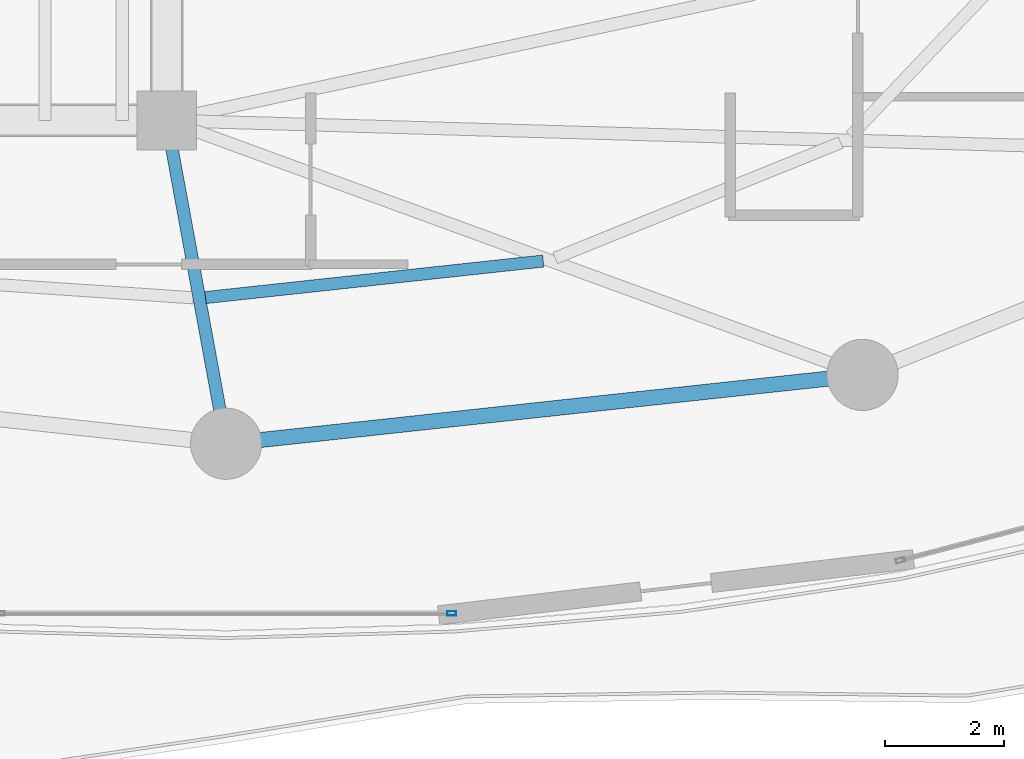
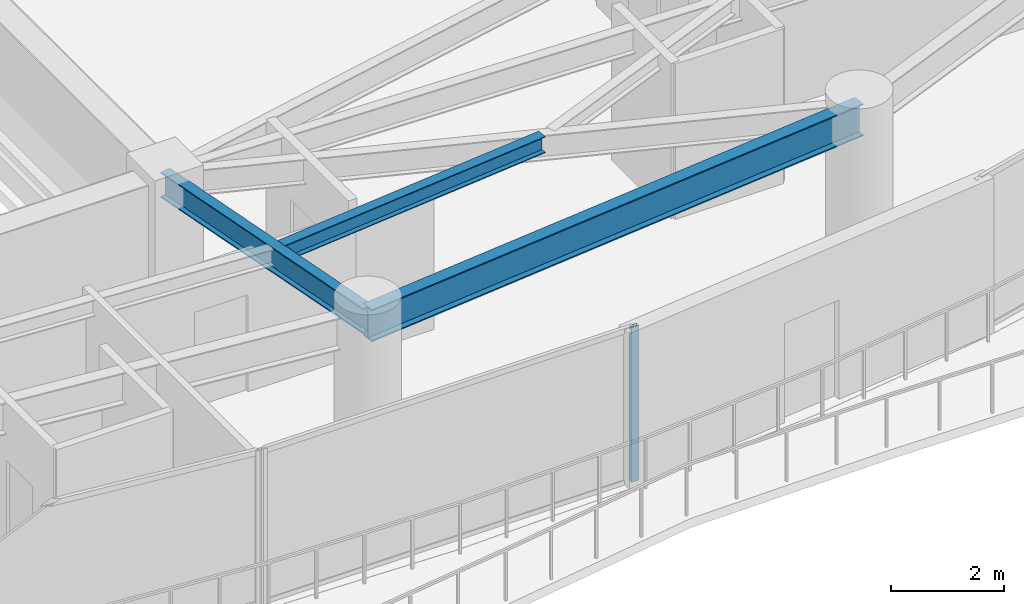
# One storey, part 10 of 33: 3 beams, 1 member, 1 element without a shape of its own.
"""IFC4 building model written with IfcOpenShell, lengths in metres."""

from ifc_helpers import new_model, si_unit, direction, frame, origin, origin_2d, place, context, subcontext, project, spatial, hollow_rectangle, i_section, extrude, material, layer, layer_set, material_profile, profile_set, type_object, element, aggregate, save


model = new_model("IFC4")

# Units and contexts
model_context = context("Model", 3, precision=1e-05, world=origin(), true_north=direction((0.0, 1.0)))
body_context = subcontext(model_context, "Body", "Model", "MODEL_VIEW")
ifc_project = project(units=[si_unit("LENGTHUNIT", "METRE"), si_unit("AREAUNIT", "SQUARE_METRE"), si_unit("VOLUMEUNIT", "CUBIC_METRE"), si_unit("PLANEANGLEUNIT", "RADIAN"), si_unit("MASSUNIT", "GRAM", prefix="KILO")], contexts=[model_context])

# Site, building, storey
site_placement = place(None, origin())
site = spatial("IfcSite", under=ifc_project, at=site_placement, CompositionType="ELEMENT")
building_placement = place(site_placement, origin())
building = spatial("IfcBuilding", under=site, at=building_placement, Name="Kazevale Care Tower and Concert Hall", CompositionType="ELEMENT")
storey_placement = place(building_placement, frame((0.0, 0.0, 153.0)))
storey = spatial("IfcBuildingStorey", under=building, at=storey_placement, Name="L40", CompositionType="ELEMENT", Elevation=153.0)

# Curtain wall, member
ifc_material_1 = material(Name="Aluminium 6063-T6 and Low-E Glass", Category="aluminium")
ifc_layer = layer(ifc_material_1, 0.179931640625)
ifc_layer_set = layer_set([ifc_layer], Name="Aluminium 6063-T6 and Low-E Glass")
curtain_wall_type = type_object("IfcCurtainWallType", Name="Sheltered Concave Balcony Curtain Wall CW-5", PredefinedType="NOTDEFINED", material=ifc_layer_set)
curtain_wall_placement = place(storey_placement, origin())
curtain_wall = element("IfcCurtainWall", 1, at=curtain_wall_placement, inside=storey, type_object=curtain_wall_type, Name="cw:L40:f06", PredefinedType="NOTDEFINED")
ifc_material_2 = material(Name="Aluminium 6063-T6", Category="aluminium")
ifc_material_profile_1 = material_profile(ifc_material_2, hollow_rectangle(XDim=0.074951171875, YDim=0.14990234375, WallThickness=0.00390625, at=origin_2d()), Name="ALU75x150x4")
ifc_profile_set_1 = profile_set([ifc_material_profile_1], Name="Aluminium 6063-T6")
member_type = type_object("IfcMemberType", Name="CW-5 Mullion ALU75x150x4", PredefinedType="MULLION", material=ifc_profile_set_1)
member_placement = place(storey_placement, frame((48.803466796875, 15.2890625, 0.0), z_axis=(0.0, 0.0, 1.0), x_axis=(0.0, -1.0, 0.0)))
member = element("IfcMember", 2, at=member_placement, type_object=member_type, Name="CW-5 mullion 1", PredefinedType="MULLION", context=body_context, shape_type="SweptSolid", body=[
    extrude(hollow_rectangle(XDim=0.074951171875, YDim=0.14990234375, WallThickness=0.00390625, at=origin_2d()), origin(), (0.0, 0.0, 1.0), 3.360107421875),
])
aggregate(curtain_wall, [member])

# Beams
ifc_material_3 = material(Name="Steel ASTM A572 Gr 50", Category="steel")
ifc_material_profile_2 = material_profile(ifc_material_3, i_section(OverallWidth=0.2119140625, OverallDepth=0.5439453125, WebThickness=0.01318359375, FlangeThickness=0.021240234375, at=origin_2d()), Name="W530x123")
ifc_profile_set_2 = profile_set([ifc_material_profile_2], Name="Steel ASTM A572 Gr 50")
beam_type_1 = type_object("IfcBeamType", Name="Radial Floor Girder W530x123", PredefinedType="BEAM", material=ifc_profile_set_2)
beam_1_placement = place(storey_placement, frame((44.0, 23.60009765625, 3.087890625), z_axis=(0.180467114023, -0.983581018908, 0.0), x_axis=(0.983581018908, 0.180467114023, 0.0)))
element("IfcBeam", 3, at=beam_1_placement, inside=storey, type_object=beam_type_1, Name="beam:L40:rad:13", PredefinedType="BEAM", context=body_context, shape_type="SweptSolid", body=[
    extrude(i_section(OverallWidth=0.2119140625, OverallDepth=0.5439453125, WebThickness=0.01318359375, FlangeThickness=0.021240234375, at=origin_2d()), origin(), (0.0, 0.0, 1.0), 5.541259765625),
])
ifc_material_profile_3 = material_profile(ifc_material_3, i_section(OverallWidth=0.205078125, OverallDepth=0.35400390625, WebThickness=0.009521484375, FlangeThickness=0.016845703125, at=origin_2d()), Name="W360x79")
ifc_profile_set_3 = profile_set([ifc_material_profile_3], Name="Steel ASTM A572 Gr 50")
beam_type_2 = type_object("IfcBeamType", Name="Secondary Floor Joist W360x79", PredefinedType="JOIST", material=ifc_profile_set_3)
beam_2_placement = place(storey_placement, frame((44.654052734375, 20.614013671875, 3.18310546875), z_axis=(0.994215541126, 0.107403248482, 0.0), x_axis=(-0.107403248482, 0.994215541126, 0.0)))
element("IfcBeam", 4, at=beam_2_placement, inside=storey, type_object=beam_type_2, Name="beam:L40:joist:13", PredefinedType="JOIST", context=body_context, shape_type="SweptSolid", body=[
    extrude(i_section(OverallWidth=0.205078125, OverallDepth=0.35400390625, WebThickness=0.009521484375, FlangeThickness=0.016845703125, at=origin_2d()), origin(), (0.0, 0.0, 1.0), 5.72607421875),
])
ifc_material_profile_4 = material_profile(ifc_material_3, i_section(OverallWidth=0.256103515625, OverallDepth=0.693115234375, WebThickness=0.014404296875, FlangeThickness=0.023681640625, at=origin_2d()), Name="W690x170")
ifc_profile_set_4 = profile_set([ifc_material_profile_4], Name="Steel ASTM A572 Gr 50")
beam_type_3 = type_object("IfcBeamType", Name="Waist Ring Beam W690x170", PredefinedType="BEAM", material=ifc_profile_set_4)
beam_3_placement = place(storey_placement, frame((45.0, 18.14990234375, 3.013427734375), z_axis=(0.994205479487, 0.107496346724, 0.0), x_axis=(-0.107496346724, 0.994205479487, 0.0)))
element("IfcBeam", 5, at=beam_3_placement, inside=storey, type_object=beam_type_3, Name="beam:L40:ring:13", PredefinedType="BEAM", context=body_context, shape_type="SweptSolid", body=[
    extrude(i_section(OverallWidth=0.256103515625, OverallDepth=0.693115234375, WebThickness=0.014404296875, FlangeThickness=0.023681640625, at=origin_2d()), origin(), (0.0, 0.0, 1.0), 10.79248046875),
])

save(model, "model.ifc")
